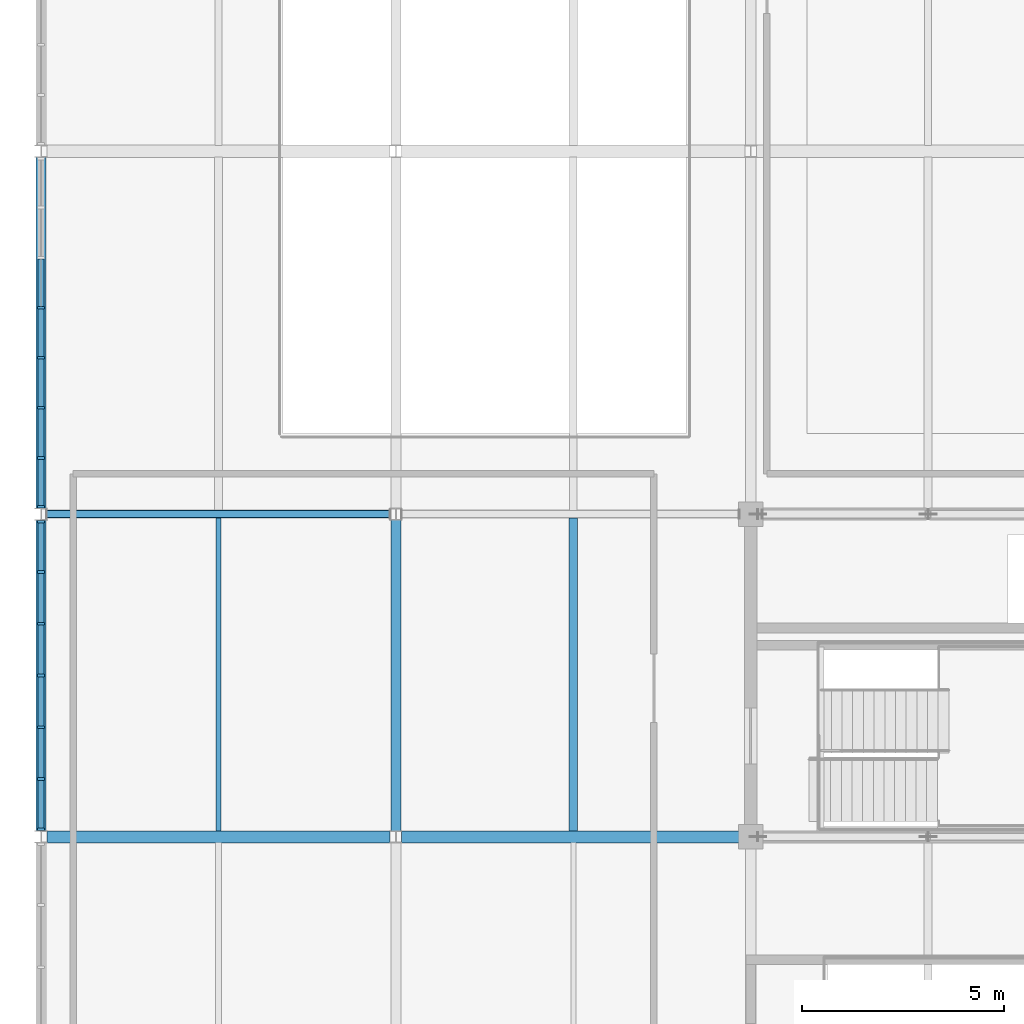
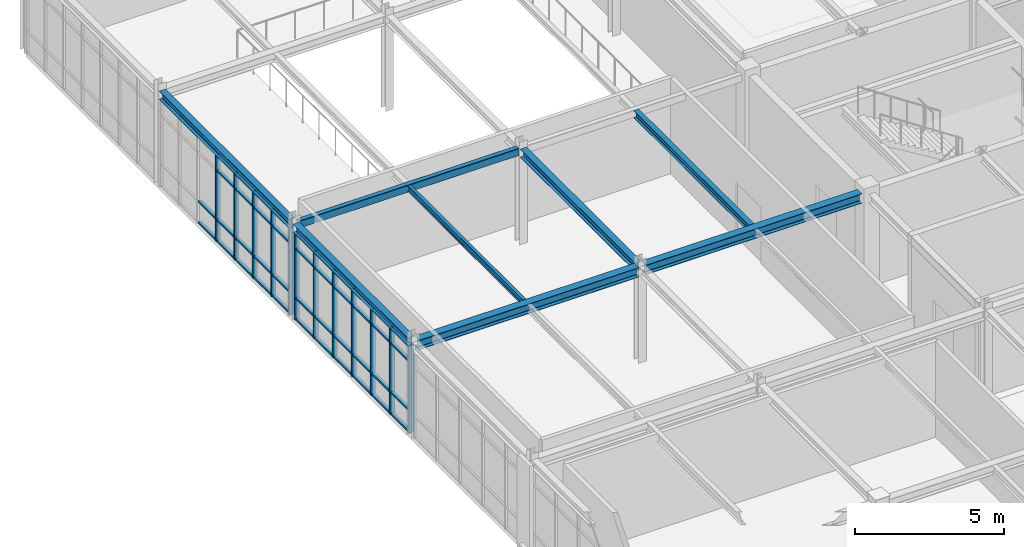
# One storey, part 28 of 88: 54 members, 8 beams, 2 elements without a shape of their own.
"""IFC4 building model written with IfcOpenShell, lengths in metres."""

from ifc_helpers import new_model, si_unit, direction, frame, origin, origin_2d, place, context, subcontext, project, spatial, rectangle, hollow_rectangle, i_section, extrude, material, material_profile, profile_set, type_object, element, aggregate, save


model = new_model("IFC4")

# Units and contexts
model_context = context("Model", 3, precision=1e-05, world=origin(), true_north=direction((0.0, 1.0)))
body_context = subcontext(model_context, "Body", "Model", "MODEL_VIEW")
ifc_project = project(units=[si_unit("LENGTHUNIT", "METRE"), si_unit("AREAUNIT", "SQUARE_METRE"), si_unit("VOLUMEUNIT", "CUBIC_METRE"), si_unit("PLANEANGLEUNIT", "RADIAN"), si_unit("MASSUNIT", "GRAM", prefix="KILO")], contexts=[model_context])

# Site, building, storey
site_placement = place(None, origin())
site = spatial("IfcSite", under=ifc_project, at=site_placement, CompositionType="ELEMENT")
building_placement = place(site_placement, origin())
building = spatial("IfcBuilding", under=site, at=building_placement, Name="Zhaolan Boulevard Law Courts", CompositionType="ELEMENT")
storey_placement = place(building_placement, frame((0.0, 0.0, 16.199951171875)))
storey = spatial("IfcBuildingStorey", under=building, at=storey_placement, Name="L03", CompositionType="ELEMENT", Elevation=16.199951171875)

# Curtain wall, members
ifc_material_1 = material(Name="Thermally broken aluminium and low-E glazing", Category="aluminium")
curtain_wall_type_1 = type_object("IfcCurtainWallType", Name="CURTAIN WALL M4", PredefinedType="USERDEFINED", material=ifc_material_1)
curtain_wall_1_placement = place(storey_placement, origin())
curtain_wall_1 = element("IfcCurtainWall", 1, at=curtain_wall_1_placement, inside=storey, type_object=curtain_wall_type_1, Name="Curtain Wall CW-L03-124", ObjectType="CURTAIN WALL", PredefinedType="USERDEFINED")
ifc_material_2 = material(Name="Fluorocarbon-coated aluminium 6063-T6", Category="aluminium")
ifc_material_profile_1 = material_profile(ifc_material_2, rectangle(XDim=0.179931640625, YDim=0.06494140625, at=origin_2d()), Name="AL65x180")
ifc_profile_set_1 = profile_set([ifc_material_profile_1], Name="Fluorocarbon-coated aluminium 6063-T6")
member_type_1 = type_object("IfcMemberType", Name="CWMULLION 65X180", PredefinedType="MULLION", material=ifc_profile_set_1)
member_1_placement = place(storey_placement, frame((0.0, 93.8154296875, 0.0), z_axis=(0.0, 0.0, 1.0), x_axis=(1.0, 0.0, 0.0)))
member_1 = element("IfcMember", 2, at=member_1_placement, type_object=member_type_1, Name="CW-L03-124 mullion 1", PredefinedType="MULLION", context=body_context, shape_type="SweptSolid", body=[
    extrude(rectangle(XDim=0.179931640625, YDim=0.06494140625, at=origin_2d()), origin(), (0.0, 0.0, 1.0), 3.56298828125),
])
member_2_placement = place(storey_placement, frame((0.0, 92.5654296875, 0.0), z_axis=(0.0, 0.0, 1.0), x_axis=(1.0, 0.0, 0.0)))
member_2 = element("IfcMember", 3, at=member_2_placement, type_object=member_type_1, Name="CW-L03-124 mullion 2", PredefinedType="MULLION", context=body_context, shape_type="SweptSolid", body=[
    extrude(rectangle(XDim=0.179931640625, YDim=0.06494140625, at=origin_2d()), origin(), (0.0, 0.0, 1.0), 3.56298828125),
])
member_3_placement = place(storey_placement, frame((0.0, 91.28271484375, 0.0), z_axis=(0.0, 0.0, 1.0), x_axis=(1.0, 0.0, 0.0)))
member_3 = element("IfcMember", 4, at=member_3_placement, type_object=member_type_1, Name="CW-L03-124 mullion 3", PredefinedType="MULLION", context=body_context, shape_type="SweptSolid", body=[
    extrude(rectangle(XDim=0.179931640625, YDim=0.06494140625, at=origin_2d()), origin(), (0.0, 0.0, 1.0), 3.56298828125),
])
member_4_placement = place(storey_placement, frame((0.0, 90.0, 0.0), z_axis=(0.0, 0.0, 1.0), x_axis=(1.0, 0.0, 0.0)))
member_4 = element("IfcMember", 5, at=member_4_placement, type_object=member_type_1, Name="CW-L03-124 mullion 4", PredefinedType="MULLION", context=body_context, shape_type="SweptSolid", body=[
    extrude(rectangle(XDim=0.179931640625, YDim=0.06494140625, at=origin_2d()), origin(), (0.0, 0.0, 1.0), 3.56298828125),
])
member_5_placement = place(storey_placement, frame((0.0, 88.71728515625, 0.0), z_axis=(0.0, 0.0, 1.0), x_axis=(1.0, 0.0, 0.0)))
member_5 = element("IfcMember", 6, at=member_5_placement, type_object=member_type_1, Name="CW-L03-124 mullion 5", PredefinedType="MULLION", context=body_context, shape_type="SweptSolid", body=[
    extrude(rectangle(XDim=0.179931640625, YDim=0.06494140625, at=origin_2d()), origin(), (0.0, 0.0, 1.0), 3.56298828125),
])
member_6_placement = place(storey_placement, frame((0.0, 87.4345703125, 0.0), z_axis=(0.0, 0.0, 1.0), x_axis=(1.0, 0.0, 0.0)))
member_6 = element("IfcMember", 7, at=member_6_placement, type_object=member_type_1, Name="CW-L03-124 mullion 6", PredefinedType="MULLION", context=body_context, shape_type="SweptSolid", body=[
    extrude(rectangle(XDim=0.179931640625, YDim=0.06494140625, at=origin_2d()), origin(), (0.0, 0.0, 1.0), 3.56298828125),
])
member_7_placement = place(storey_placement, frame((0.0, 86.1845703125, 0.0), z_axis=(0.0, 0.0, 1.0), x_axis=(1.0, 0.0, 0.0)))
member_7 = element("IfcMember", 8, at=member_7_placement, type_object=member_type_1, Name="CW-L03-124 mullion 7", PredefinedType="MULLION", context=body_context, shape_type="SweptSolid", body=[
    extrude(rectangle(XDim=0.179931640625, YDim=0.06494140625, at=origin_2d()), origin(), (0.0, 0.0, 1.0), 3.56298828125),
])

ifc_material_3 = material(Name="Thermally broken aluminium and low-E glazing", Category="aluminium")
curtain_wall_type_2 = type_object("IfcCurtainWallType", Name="CURTAIN WALL M5", PredefinedType="USERDEFINED", material=ifc_material_3)
curtain_wall_2_placement = place(storey_placement, origin())
curtain_wall_2 = element("IfcCurtainWall", 9, at=curtain_wall_2_placement, inside=storey, type_object=curtain_wall_type_2, Name="Curtain Wall CW-L03-125", ObjectType="CURTAIN WALL", PredefinedType="USERDEFINED")
member_8_placement = place(storey_placement, frame((0.0, 99.12109375, 0.0), z_axis=(0.0, 0.0, 1.0), x_axis=(1.0, 0.0, 0.0)))
member_8 = element("IfcMember", 10, at=member_8_placement, type_object=member_type_1, Name="CW-L03-125 mullion 4", PredefinedType="MULLION", context=body_context, shape_type="SweptSolid", body=[
    extrude(rectangle(XDim=0.179931640625, YDim=0.06494140625, at=origin_2d()), origin(), (0.0, 0.0, 1.0), 3.56298828125),
])
member_9_placement = place(storey_placement, frame((0.0, 97.87890625, 0.0), z_axis=(0.0, 0.0, 1.0), x_axis=(1.0, 0.0, 0.0)))
member_9 = element("IfcMember", 11, at=member_9_placement, type_object=member_type_1, Name="CW-L03-125 mullion 5", PredefinedType="MULLION", context=body_context, shape_type="SweptSolid", body=[
    extrude(rectangle(XDim=0.179931640625, YDim=0.06494140625, at=origin_2d()), origin(), (0.0, 0.0, 1.0), 3.56298828125),
])
member_10_placement = place(storey_placement, frame((0.0, 96.636474609375, 0.0), z_axis=(0.0, 0.0, 1.0), x_axis=(1.0, 0.0, 0.0)))
member_10 = element("IfcMember", 12, at=member_10_placement, type_object=member_type_1, Name="CW-L03-125 mullion 6", PredefinedType="MULLION", context=body_context, shape_type="SweptSolid", body=[
    extrude(rectangle(XDim=0.179931640625, YDim=0.06494140625, at=origin_2d()), origin(), (0.0, 0.0, 1.0), 3.56298828125),
])
member_11_placement = place(storey_placement, frame((0.0, 95.394287109375, 0.0), z_axis=(0.0, 0.0, 1.0), x_axis=(1.0, 0.0, 0.0)))
member_11 = element("IfcMember", 13, at=member_11_placement, type_object=member_type_1, Name="CW-L03-125 mullion 7", PredefinedType="MULLION", context=body_context, shape_type="SweptSolid", body=[
    extrude(rectangle(XDim=0.179931640625, YDim=0.06494140625, at=origin_2d()), origin(), (0.0, 0.0, 1.0), 3.56298828125),
])
member_12_placement = place(storey_placement, frame((0.0, 94.1845703125, 0.0), z_axis=(0.0, 0.0, 1.0), x_axis=(1.0, 0.0, 0.0)))
member_12 = element("IfcMember", 14, at=member_12_placement, type_object=member_type_1, Name="CW-L03-125 mullion 8", PredefinedType="MULLION", context=body_context, shape_type="SweptSolid", body=[
    extrude(rectangle(XDim=0.179931640625, YDim=0.06494140625, at=origin_2d()), origin(), (0.0, 0.0, 1.0), 3.56298828125),
])

# Member
ifc_material_4 = material(Name="Fluorocarbon-coated aluminium 6063-T6", Category="aluminium")
ifc_material_profile_2 = material_profile(ifc_material_4, rectangle(XDim=0.139892578125, YDim=0.06494140625, at=origin_2d()), Name="AL65x140")
ifc_profile_set_2 = profile_set([ifc_material_profile_2], Name="Fluorocarbon-coated aluminium 6063-T6")
member_type_2 = type_object("IfcMemberType", Name="CWTRANSOM 65X140", PredefinedType="USERDEFINED", material=ifc_profile_set_2)
member_13_placement = place(storey_placement, frame((0.0, 93.782958984375, 0.032470703125), z_axis=(0.0, -1.0, 0.0), x_axis=(1.0, 0.0, 0.0)))
member_13 = element("IfcMember", 15, at=member_13_placement, type_object=member_type_2, Name="CW-L03-124 transom 1.1", ObjectType="TRANSOM", PredefinedType="USERDEFINED", context=body_context, shape_type="SweptSolid", body=[
    extrude(rectangle(XDim=0.139892578125, YDim=0.06494140625, at=origin_2d()), origin(), (0.0, 0.0, 1.0), 1.18505859375),
])

member_14_placement = place(storey_placement, frame((0.0, 93.782958984375, 0.900146484375), z_axis=(0.0, -1.0, 0.0), x_axis=(1.0, 0.0, 0.0)))
member_14 = element("IfcMember", 16, at=member_14_placement, type_object=member_type_2, Name="CW-L03-124 transom 1.2", ObjectType="TRANSOM", PredefinedType="USERDEFINED", context=body_context, shape_type="SweptSolid", body=[
    extrude(rectangle(XDim=0.139892578125, YDim=0.06494140625, at=origin_2d()), origin(), (0.0, 0.0, 1.0), 1.18505859375),
])

member_15_placement = place(storey_placement, frame((0.0, 93.782958984375, 2.9130859375), z_axis=(0.0, -1.0, 0.0), x_axis=(1.0, 0.0, 0.0)))
member_15 = element("IfcMember", 17, at=member_15_placement, type_object=member_type_2, Name="CW-L03-124 transom 1.3", ObjectType="TRANSOM", PredefinedType="USERDEFINED", context=body_context, shape_type="SweptSolid", body=[
    extrude(rectangle(XDim=0.139892578125, YDim=0.06494140625, at=origin_2d()), origin(), (0.0, 0.0, 1.0), 1.18505859375),
])

member_16_placement = place(storey_placement, frame((0.0, 93.782958984375, 3.530517578125), z_axis=(0.0, -1.0, 0.0), x_axis=(1.0, 0.0, 0.0)))
member_16 = element("IfcMember", 18, at=member_16_placement, type_object=member_type_2, Name="CW-L03-124 transom 1.4", ObjectType="TRANSOM", PredefinedType="USERDEFINED", context=body_context, shape_type="SweptSolid", body=[
    extrude(rectangle(XDim=0.139892578125, YDim=0.06494140625, at=origin_2d()), origin(), (0.0, 0.0, 1.0), 1.18505859375),
])

member_17_placement = place(storey_placement, frame((0.0, 92.53271484375, 0.032470703125), z_axis=(0.0, -1.0, 0.0), x_axis=(1.0, 0.0, 0.0)))
member_17 = element("IfcMember", 19, at=member_17_placement, type_object=member_type_2, Name="CW-L03-124 transom 2.1", ObjectType="TRANSOM", PredefinedType="USERDEFINED", context=body_context, shape_type="SweptSolid", body=[
    extrude(rectangle(XDim=0.139892578125, YDim=0.06494140625, at=origin_2d()), origin(), (0.0, 0.0, 1.0), 1.217529296875),
])

member_18_placement = place(storey_placement, frame((0.0, 92.53271484375, 0.900146484375), z_axis=(0.0, -1.0, 0.0), x_axis=(1.0, 0.0, 0.0)))
member_18 = element("IfcMember", 20, at=member_18_placement, type_object=member_type_2, Name="CW-L03-124 transom 2.2", ObjectType="TRANSOM", PredefinedType="USERDEFINED", context=body_context, shape_type="SweptSolid", body=[
    extrude(rectangle(XDim=0.139892578125, YDim=0.06494140625, at=origin_2d()), origin(), (0.0, 0.0, 1.0), 1.217529296875),
])

member_19_placement = place(storey_placement, frame((0.0, 92.53271484375, 2.9130859375), z_axis=(0.0, -1.0, 0.0), x_axis=(1.0, 0.0, 0.0)))
member_19 = element("IfcMember", 21, at=member_19_placement, type_object=member_type_2, Name="CW-L03-124 transom 2.3", ObjectType="TRANSOM", PredefinedType="USERDEFINED", context=body_context, shape_type="SweptSolid", body=[
    extrude(rectangle(XDim=0.139892578125, YDim=0.06494140625, at=origin_2d()), origin(), (0.0, 0.0, 1.0), 1.217529296875),
])

member_20_placement = place(storey_placement, frame((0.0, 92.53271484375, 3.530517578125), z_axis=(0.0, -1.0, 0.0), x_axis=(1.0, 0.0, 0.0)))
member_20 = element("IfcMember", 22, at=member_20_placement, type_object=member_type_2, Name="CW-L03-124 transom 2.4", ObjectType="TRANSOM", PredefinedType="USERDEFINED", context=body_context, shape_type="SweptSolid", body=[
    extrude(rectangle(XDim=0.139892578125, YDim=0.06494140625, at=origin_2d()), origin(), (0.0, 0.0, 1.0), 1.217529296875),
])

member_21_placement = place(storey_placement, frame((0.0, 91.250244140625, 0.032470703125), z_axis=(0.0, -1.0, 0.0), x_axis=(1.0, 0.0, 0.0)))
member_21 = element("IfcMember", 23, at=member_21_placement, type_object=member_type_2, Name="CW-L03-124 transom 3.1", ObjectType="TRANSOM", PredefinedType="USERDEFINED", context=body_context, shape_type="SweptSolid", body=[
    extrude(rectangle(XDim=0.139892578125, YDim=0.06494140625, at=origin_2d()), origin(), (0.0, 0.0, 1.0), 1.2177734375),
])

member_22_placement = place(storey_placement, frame((0.0, 91.250244140625, 0.900146484375), z_axis=(0.0, -1.0, 0.0), x_axis=(1.0, 0.0, 0.0)))
member_22 = element("IfcMember", 24, at=member_22_placement, type_object=member_type_2, Name="CW-L03-124 transom 3.2", ObjectType="TRANSOM", PredefinedType="USERDEFINED", context=body_context, shape_type="SweptSolid", body=[
    extrude(rectangle(XDim=0.139892578125, YDim=0.06494140625, at=origin_2d()), origin(), (0.0, 0.0, 1.0), 1.2177734375),
])

member_23_placement = place(storey_placement, frame((0.0, 91.250244140625, 2.9130859375), z_axis=(0.0, -1.0, 0.0), x_axis=(1.0, 0.0, 0.0)))
member_23 = element("IfcMember", 25, at=member_23_placement, type_object=member_type_2, Name="CW-L03-124 transom 3.3", ObjectType="TRANSOM", PredefinedType="USERDEFINED", context=body_context, shape_type="SweptSolid", body=[
    extrude(rectangle(XDim=0.139892578125, YDim=0.06494140625, at=origin_2d()), origin(), (0.0, 0.0, 1.0), 1.2177734375),
])

member_24_placement = place(storey_placement, frame((0.0, 91.250244140625, 3.530517578125), z_axis=(0.0, -1.0, 0.0), x_axis=(1.0, 0.0, 0.0)))
member_24 = element("IfcMember", 26, at=member_24_placement, type_object=member_type_2, Name="CW-L03-124 transom 3.4", ObjectType="TRANSOM", PredefinedType="USERDEFINED", context=body_context, shape_type="SweptSolid", body=[
    extrude(rectangle(XDim=0.139892578125, YDim=0.06494140625, at=origin_2d()), origin(), (0.0, 0.0, 1.0), 1.2177734375),
])

member_25_placement = place(storey_placement, frame((0.0, 89.967529296875, 0.032470703125), z_axis=(0.0, -1.0, 0.0), x_axis=(1.0, 0.0, 0.0)))
member_25 = element("IfcMember", 27, at=member_25_placement, type_object=member_type_2, Name="CW-L03-124 transom 4.1", ObjectType="TRANSOM", PredefinedType="USERDEFINED", context=body_context, shape_type="SweptSolid", body=[
    extrude(rectangle(XDim=0.139892578125, YDim=0.06494140625, at=origin_2d()), origin(), (0.0, 0.0, 1.0), 1.2177734375),
])

member_26_placement = place(storey_placement, frame((0.0, 89.967529296875, 0.900146484375), z_axis=(0.0, -1.0, 0.0), x_axis=(1.0, 0.0, 0.0)))
member_26 = element("IfcMember", 28, at=member_26_placement, type_object=member_type_2, Name="CW-L03-124 transom 4.2", ObjectType="TRANSOM", PredefinedType="USERDEFINED", context=body_context, shape_type="SweptSolid", body=[
    extrude(rectangle(XDim=0.139892578125, YDim=0.06494140625, at=origin_2d()), origin(), (0.0, 0.0, 1.0), 1.2177734375),
])

member_27_placement = place(storey_placement, frame((0.0, 89.967529296875, 2.9130859375), z_axis=(0.0, -1.0, 0.0), x_axis=(1.0, 0.0, 0.0)))
member_27 = element("IfcMember", 29, at=member_27_placement, type_object=member_type_2, Name="CW-L03-124 transom 4.3", ObjectType="TRANSOM", PredefinedType="USERDEFINED", context=body_context, shape_type="SweptSolid", body=[
    extrude(rectangle(XDim=0.139892578125, YDim=0.06494140625, at=origin_2d()), origin(), (0.0, 0.0, 1.0), 1.2177734375),
])

member_28_placement = place(storey_placement, frame((0.0, 89.967529296875, 3.530517578125), z_axis=(0.0, -1.0, 0.0), x_axis=(1.0, 0.0, 0.0)))
member_28 = element("IfcMember", 30, at=member_28_placement, type_object=member_type_2, Name="CW-L03-124 transom 4.4", ObjectType="TRANSOM", PredefinedType="USERDEFINED", context=body_context, shape_type="SweptSolid", body=[
    extrude(rectangle(XDim=0.139892578125, YDim=0.06494140625, at=origin_2d()), origin(), (0.0, 0.0, 1.0), 1.2177734375),
])

member_29_placement = place(storey_placement, frame((0.0, 88.684814453125, 0.032470703125), z_axis=(0.0, -1.0, 0.0), x_axis=(1.0, 0.0, 0.0)))
member_29 = element("IfcMember", 31, at=member_29_placement, type_object=member_type_2, Name="CW-L03-124 transom 5.1", ObjectType="TRANSOM", PredefinedType="USERDEFINED", context=body_context, shape_type="SweptSolid", body=[
    extrude(rectangle(XDim=0.139892578125, YDim=0.06494140625, at=origin_2d()), origin(), (0.0, 0.0, 1.0), 1.217529296875),
])

member_30_placement = place(storey_placement, frame((0.0, 88.684814453125, 0.900146484375), z_axis=(0.0, -1.0, 0.0), x_axis=(1.0, 0.0, 0.0)))
member_30 = element("IfcMember", 32, at=member_30_placement, type_object=member_type_2, Name="CW-L03-124 transom 5.2", ObjectType="TRANSOM", PredefinedType="USERDEFINED", context=body_context, shape_type="SweptSolid", body=[
    extrude(rectangle(XDim=0.139892578125, YDim=0.06494140625, at=origin_2d()), origin(), (0.0, 0.0, 1.0), 1.217529296875),
])

member_31_placement = place(storey_placement, frame((0.0, 88.684814453125, 2.9130859375), z_axis=(0.0, -1.0, 0.0), x_axis=(1.0, 0.0, 0.0)))
member_31 = element("IfcMember", 33, at=member_31_placement, type_object=member_type_2, Name="CW-L03-124 transom 5.3", ObjectType="TRANSOM", PredefinedType="USERDEFINED", context=body_context, shape_type="SweptSolid", body=[
    extrude(rectangle(XDim=0.139892578125, YDim=0.06494140625, at=origin_2d()), origin(), (0.0, 0.0, 1.0), 1.217529296875),
])

member_32_placement = place(storey_placement, frame((0.0, 88.684814453125, 3.530517578125), z_axis=(0.0, -1.0, 0.0), x_axis=(1.0, 0.0, 0.0)))
member_32 = element("IfcMember", 34, at=member_32_placement, type_object=member_type_2, Name="CW-L03-124 transom 5.4", ObjectType="TRANSOM", PredefinedType="USERDEFINED", context=body_context, shape_type="SweptSolid", body=[
    extrude(rectangle(XDim=0.139892578125, YDim=0.06494140625, at=origin_2d()), origin(), (0.0, 0.0, 1.0), 1.217529296875),
])

member_33_placement = place(storey_placement, frame((0.0, 87.402099609375, 0.032470703125), z_axis=(0.0, -1.0, 0.0), x_axis=(1.0, 0.0, 0.0)))
member_33 = element("IfcMember", 35, at=member_33_placement, type_object=member_type_2, Name="CW-L03-124 transom 6.1", ObjectType="TRANSOM", PredefinedType="USERDEFINED", context=body_context, shape_type="SweptSolid", body=[
    extrude(rectangle(XDim=0.139892578125, YDim=0.06494140625, at=origin_2d()), origin(), (0.0, 0.0, 1.0), 1.18505859375),
])

member_34_placement = place(storey_placement, frame((0.0, 87.402099609375, 0.900146484375), z_axis=(0.0, -1.0, 0.0), x_axis=(1.0, 0.0, 0.0)))
member_34 = element("IfcMember", 36, at=member_34_placement, type_object=member_type_2, Name="CW-L03-124 transom 6.2", ObjectType="TRANSOM", PredefinedType="USERDEFINED", context=body_context, shape_type="SweptSolid", body=[
    extrude(rectangle(XDim=0.139892578125, YDim=0.06494140625, at=origin_2d()), origin(), (0.0, 0.0, 1.0), 1.18505859375),
])

member_35_placement = place(storey_placement, frame((0.0, 87.402099609375, 2.9130859375), z_axis=(0.0, -1.0, 0.0), x_axis=(1.0, 0.0, 0.0)))
member_35 = element("IfcMember", 37, at=member_35_placement, type_object=member_type_2, Name="CW-L03-124 transom 6.3", ObjectType="TRANSOM", PredefinedType="USERDEFINED", context=body_context, shape_type="SweptSolid", body=[
    extrude(rectangle(XDim=0.139892578125, YDim=0.06494140625, at=origin_2d()), origin(), (0.0, 0.0, 1.0), 1.18505859375),
])

member_36_placement = place(storey_placement, frame((0.0, 87.402099609375, 3.530517578125), z_axis=(0.0, -1.0, 0.0), x_axis=(1.0, 0.0, 0.0)))
member_36 = element("IfcMember", 38, at=member_36_placement, type_object=member_type_2, Name="CW-L03-124 transom 6.4", ObjectType="TRANSOM", PredefinedType="USERDEFINED", context=body_context, shape_type="SweptSolid", body=[
    extrude(rectangle(XDim=0.139892578125, YDim=0.06494140625, at=origin_2d()), origin(), (0.0, 0.0, 1.0), 1.18505859375),
])

aggregate(curtain_wall_1, [member_1, member_2, member_3, member_4, member_5, member_6, member_7, member_13, member_14, member_15, member_16, member_17, member_18, member_19, member_20, member_21, member_22, member_23, member_24, member_25, member_26, member_27, member_28, member_29, member_30, member_31, member_32, member_33, member_34, member_35, member_36])

member_37_placement = place(storey_placement, frame((0.0, 100.330810546875, 0.032470703125), z_axis=(0.0, -1.0, 0.0), x_axis=(1.0, 0.0, 0.0)))
member_37 = element("IfcMember", 39, at=member_37_placement, type_object=member_type_2, Name="CW-L03-125 transom 3.1", ObjectType="TRANSOM", PredefinedType="USERDEFINED", context=body_context, shape_type="SweptSolid", body=[
    extrude(rectangle(XDim=0.139892578125, YDim=0.06494140625, at=origin_2d()), origin(), (0.0, 0.0, 1.0), 1.17724609375),
])

member_38_placement = place(storey_placement, frame((0.0, 100.330810546875, 0.900146484375), z_axis=(0.0, -1.0, 0.0), x_axis=(1.0, 0.0, 0.0)))
member_38 = element("IfcMember", 40, at=member_38_placement, type_object=member_type_2, Name="CW-L03-125 transom 3.2", ObjectType="TRANSOM", PredefinedType="USERDEFINED", context=body_context, shape_type="SweptSolid", body=[
    extrude(rectangle(XDim=0.139892578125, YDim=0.06494140625, at=origin_2d()), origin(), (0.0, 0.0, 1.0), 1.17724609375),
])

member_39_placement = place(storey_placement, frame((0.0, 99.088623046875, 0.032470703125), z_axis=(0.0, -1.0, 0.0), x_axis=(1.0, 0.0, 0.0)))
member_39 = element("IfcMember", 41, at=member_39_placement, type_object=member_type_2, Name="CW-L03-125 transom 4.1", ObjectType="TRANSOM", PredefinedType="USERDEFINED", context=body_context, shape_type="SweptSolid", body=[
    extrude(rectangle(XDim=0.139892578125, YDim=0.06494140625, at=origin_2d()), origin(), (0.0, 0.0, 1.0), 1.17724609375),
])

member_40_placement = place(storey_placement, frame((0.0, 99.088623046875, 0.900146484375), z_axis=(0.0, -1.0, 0.0), x_axis=(1.0, 0.0, 0.0)))
member_40 = element("IfcMember", 42, at=member_40_placement, type_object=member_type_2, Name="CW-L03-125 transom 4.2", ObjectType="TRANSOM", PredefinedType="USERDEFINED", context=body_context, shape_type="SweptSolid", body=[
    extrude(rectangle(XDim=0.139892578125, YDim=0.06494140625, at=origin_2d()), origin(), (0.0, 0.0, 1.0), 1.17724609375),
])

member_41_placement = place(storey_placement, frame((0.0, 99.088623046875, 2.9130859375), z_axis=(0.0, -1.0, 0.0), x_axis=(1.0, 0.0, 0.0)))
member_41 = element("IfcMember", 43, at=member_41_placement, type_object=member_type_2, Name="CW-L03-125 transom 4.3", ObjectType="TRANSOM", PredefinedType="USERDEFINED", context=body_context, shape_type="SweptSolid", body=[
    extrude(rectangle(XDim=0.139892578125, YDim=0.06494140625, at=origin_2d()), origin(), (0.0, 0.0, 1.0), 1.17724609375),
])

member_42_placement = place(storey_placement, frame((0.0, 99.088623046875, 3.530517578125), z_axis=(0.0, -1.0, 0.0), x_axis=(1.0, 0.0, 0.0)))
member_42 = element("IfcMember", 44, at=member_42_placement, type_object=member_type_2, Name="CW-L03-125 transom 4.4", ObjectType="TRANSOM", PredefinedType="USERDEFINED", context=body_context, shape_type="SweptSolid", body=[
    extrude(rectangle(XDim=0.139892578125, YDim=0.06494140625, at=origin_2d()), origin(), (0.0, 0.0, 1.0), 1.17724609375),
])

member_43_placement = place(storey_placement, frame((0.0, 97.846435546875, 0.032470703125), z_axis=(0.0, -1.0, 0.0), x_axis=(1.0, 0.0, 0.0)))
member_43 = element("IfcMember", 45, at=member_43_placement, type_object=member_type_2, Name="CW-L03-125 transom 5.1", ObjectType="TRANSOM", PredefinedType="USERDEFINED", context=body_context, shape_type="SweptSolid", body=[
    extrude(rectangle(XDim=0.139892578125, YDim=0.06494140625, at=origin_2d()), origin(), (0.0, 0.0, 1.0), 1.17724609375),
])

member_44_placement = place(storey_placement, frame((0.0, 97.846435546875, 0.900146484375), z_axis=(0.0, -1.0, 0.0), x_axis=(1.0, 0.0, 0.0)))
member_44 = element("IfcMember", 46, at=member_44_placement, type_object=member_type_2, Name="CW-L03-125 transom 5.2", ObjectType="TRANSOM", PredefinedType="USERDEFINED", context=body_context, shape_type="SweptSolid", body=[
    extrude(rectangle(XDim=0.139892578125, YDim=0.06494140625, at=origin_2d()), origin(), (0.0, 0.0, 1.0), 1.17724609375),
])

member_45_placement = place(storey_placement, frame((0.0, 97.846435546875, 2.9130859375), z_axis=(0.0, -1.0, 0.0), x_axis=(1.0, 0.0, 0.0)))
member_45 = element("IfcMember", 47, at=member_45_placement, type_object=member_type_2, Name="CW-L03-125 transom 5.3", ObjectType="TRANSOM", PredefinedType="USERDEFINED", context=body_context, shape_type="SweptSolid", body=[
    extrude(rectangle(XDim=0.139892578125, YDim=0.06494140625, at=origin_2d()), origin(), (0.0, 0.0, 1.0), 1.17724609375),
])

member_46_placement = place(storey_placement, frame((0.0, 97.846435546875, 3.530517578125), z_axis=(0.0, -1.0, 0.0), x_axis=(1.0, 0.0, 0.0)))
member_46 = element("IfcMember", 48, at=member_46_placement, type_object=member_type_2, Name="CW-L03-125 transom 5.4", ObjectType="TRANSOM", PredefinedType="USERDEFINED", context=body_context, shape_type="SweptSolid", body=[
    extrude(rectangle(XDim=0.139892578125, YDim=0.06494140625, at=origin_2d()), origin(), (0.0, 0.0, 1.0), 1.17724609375),
])

member_47_placement = place(storey_placement, frame((0.0, 96.60400390625, 0.032470703125), z_axis=(0.0, -1.0, 0.0), x_axis=(1.0, 0.0, 0.0)))
member_47 = element("IfcMember", 49, at=member_47_placement, type_object=member_type_2, Name="CW-L03-125 transom 6.1", ObjectType="TRANSOM", PredefinedType="USERDEFINED", context=body_context, shape_type="SweptSolid", body=[
    extrude(rectangle(XDim=0.139892578125, YDim=0.06494140625, at=origin_2d()), origin(), (0.0, 0.0, 1.0), 1.17724609375),
])

member_48_placement = place(storey_placement, frame((0.0, 96.60400390625, 0.900146484375), z_axis=(0.0, -1.0, 0.0), x_axis=(1.0, 0.0, 0.0)))
member_48 = element("IfcMember", 50, at=member_48_placement, type_object=member_type_2, Name="CW-L03-125 transom 6.2", ObjectType="TRANSOM", PredefinedType="USERDEFINED", context=body_context, shape_type="SweptSolid", body=[
    extrude(rectangle(XDim=0.139892578125, YDim=0.06494140625, at=origin_2d()), origin(), (0.0, 0.0, 1.0), 1.17724609375),
])

member_49_placement = place(storey_placement, frame((0.0, 96.60400390625, 2.9130859375), z_axis=(0.0, -1.0, 0.0), x_axis=(1.0, 0.0, 0.0)))
member_49 = element("IfcMember", 51, at=member_49_placement, type_object=member_type_2, Name="CW-L03-125 transom 6.3", ObjectType="TRANSOM", PredefinedType="USERDEFINED", context=body_context, shape_type="SweptSolid", body=[
    extrude(rectangle(XDim=0.139892578125, YDim=0.06494140625, at=origin_2d()), origin(), (0.0, 0.0, 1.0), 1.17724609375),
])

member_50_placement = place(storey_placement, frame((0.0, 96.60400390625, 3.530517578125), z_axis=(0.0, -1.0, 0.0), x_axis=(1.0, 0.0, 0.0)))
member_50 = element("IfcMember", 52, at=member_50_placement, type_object=member_type_2, Name="CW-L03-125 transom 6.4", ObjectType="TRANSOM", PredefinedType="USERDEFINED", context=body_context, shape_type="SweptSolid", body=[
    extrude(rectangle(XDim=0.139892578125, YDim=0.06494140625, at=origin_2d()), origin(), (0.0, 0.0, 1.0), 1.17724609375),
])

member_51_placement = place(storey_placement, frame((0.0, 95.36181640625, 0.032470703125), z_axis=(0.0, -1.0, 0.0), x_axis=(1.0, 0.0, 0.0)))
member_51 = element("IfcMember", 53, at=member_51_placement, type_object=member_type_2, Name="CW-L03-125 transom 7.1", ObjectType="TRANSOM", PredefinedType="USERDEFINED", context=body_context, shape_type="SweptSolid", body=[
    extrude(rectangle(XDim=0.139892578125, YDim=0.06494140625, at=origin_2d()), origin(), (0.0, 0.0, 1.0), 1.144775390625),
])

member_52_placement = place(storey_placement, frame((0.0, 95.36181640625, 0.900146484375), z_axis=(0.0, -1.0, 0.0), x_axis=(1.0, 0.0, 0.0)))
member_52 = element("IfcMember", 54, at=member_52_placement, type_object=member_type_2, Name="CW-L03-125 transom 7.2", ObjectType="TRANSOM", PredefinedType="USERDEFINED", context=body_context, shape_type="SweptSolid", body=[
    extrude(rectangle(XDim=0.139892578125, YDim=0.06494140625, at=origin_2d()), origin(), (0.0, 0.0, 1.0), 1.144775390625),
])

member_53_placement = place(storey_placement, frame((0.0, 95.36181640625, 2.9130859375), z_axis=(0.0, -1.0, 0.0), x_axis=(1.0, 0.0, 0.0)))
member_53 = element("IfcMember", 55, at=member_53_placement, type_object=member_type_2, Name="CW-L03-125 transom 7.3", ObjectType="TRANSOM", PredefinedType="USERDEFINED", context=body_context, shape_type="SweptSolid", body=[
    extrude(rectangle(XDim=0.139892578125, YDim=0.06494140625, at=origin_2d()), origin(), (0.0, 0.0, 1.0), 1.144775390625),
])

member_54_placement = place(storey_placement, frame((0.0, 95.36181640625, 3.530517578125), z_axis=(0.0, -1.0, 0.0), x_axis=(1.0, 0.0, 0.0)))
member_54 = element("IfcMember", 56, at=member_54_placement, type_object=member_type_2, Name="CW-L03-125 transom 7.4", ObjectType="TRANSOM", PredefinedType="USERDEFINED", context=body_context, shape_type="SweptSolid", body=[
    extrude(rectangle(XDim=0.139892578125, YDim=0.06494140625, at=origin_2d()), origin(), (0.0, 0.0, 1.0), 1.144775390625),
])

aggregate(curtain_wall_2, [member_8, member_9, member_10, member_11, member_12, member_37, member_38, member_39, member_40, member_41, member_42, member_43, member_44, member_45, member_46, member_47, member_48, member_49, member_50, member_51, member_52, member_53, member_54])

# Beams
ifc_material_5 = material(Name="Structural steel Q355B", Category="steel")
ifc_material_profile_3 = material_profile(ifc_material_5, i_section(OverallWidth=0.25, OverallDepth=0.340087890625, WebThickness=0.009033203125, FlangeThickness=0.013916015625, FilletRadius=0.01611328125, at=origin_2d()), Name="HM340x250")
ifc_profile_set_3 = profile_set([ifc_material_profile_3], Name="Structural steel Q355B")
beam_type_1 = type_object("IfcBeamType", Name="GIRDER HM340", PredefinedType="BEAM", material=ifc_profile_set_3)
beam_1_placement = place(storey_placement, frame((0.0, 86.14599609375, 3.748046875), z_axis=(0.0, 1.0, 0.0), x_axis=(-1.0, 0.0, 0.0)))
element("IfcBeam", 57, at=beam_1_placement, inside=storey, type_object=beam_type_1, Name="Beam BY-L04-1-M-N", PredefinedType="BEAM", context=body_context, shape_type="SweptSolid", body=[
    extrude(i_section(OverallWidth=0.25, OverallDepth=0.340087890625, WebThickness=0.009033203125, FlangeThickness=0.013916015625, FilletRadius=0.01611328125, at=origin_2d()), origin(), (0.0, 0.0, 1.0), 7.7080078125),
])
beam_2_placement = place(storey_placement, frame((0.0, 94.14599609375, 3.748046875), z_axis=(0.0, 1.0, 0.0), x_axis=(-1.0, 0.0, 0.0)))
element("IfcBeam", 58, at=beam_2_placement, inside=storey, type_object=beam_type_1, Name="Beam BY-L04-1-N-P", PredefinedType="BEAM", context=body_context, shape_type="SweptSolid", body=[
    extrude(i_section(OverallWidth=0.25, OverallDepth=0.340087890625, WebThickness=0.009033203125, FlangeThickness=0.013916015625, FilletRadius=0.01611328125, at=origin_2d()), origin(), (0.0, 0.0, 1.0), 8.7080078125),
])
beam_3_placement = place(storey_placement, frame((8.800048828125, 86.14599609375, 3.748046875), z_axis=(0.0, 1.0, 0.0), x_axis=(-1.0, 0.0, 0.0)))
element("IfcBeam", 59, at=beam_3_placement, inside=storey, type_object=beam_type_1, Name="Beam BY-L04-2-M-N", PredefinedType="BEAM", context=body_context, shape_type="SweptSolid", body=[
    extrude(i_section(OverallWidth=0.25, OverallDepth=0.340087890625, WebThickness=0.009033203125, FlangeThickness=0.013916015625, FilletRadius=0.01611328125, at=origin_2d()), origin(), (0.0, 0.0, 1.0), 7.7080078125),
])
ifc_material_6 = material(Name="Structural steel Q355B", Category="steel")
ifc_material_profile_4 = material_profile(ifc_material_6, i_section(OverallWidth=0.300048828125, OverallDepth=0.389892578125, WebThickness=0.010009765625, FlangeThickness=0.01611328125, FilletRadius=0.01806640625, at=origin_2d()), Name="HM390x300")
ifc_profile_set_4 = profile_set([ifc_material_profile_4], Name="Structural steel Q355B")
beam_type_2 = type_object("IfcBeamType", Name="GIRDER HM390", PredefinedType="BEAM", material=ifc_profile_set_4)
beam_4_placement = place(storey_placement, frame((0.14599609375, 86.0, 3.72314453125), z_axis=(1.0, 0.0, 0.0), x_axis=(0.0, 1.0, 0.0)))
element("IfcBeam", 60, at=beam_4_placement, inside=storey, type_object=beam_type_2, Name="Beam BX-L04-1-2-M", PredefinedType="BEAM", context=body_context, shape_type="SweptSolid", body=[
    extrude(i_section(OverallWidth=0.300048828125, OverallDepth=0.389892578125, WebThickness=0.010009765625, FlangeThickness=0.01611328125, FilletRadius=0.01806640625, at=origin_2d()), origin(), (0.0, 0.0, 1.0), 8.508056640625),
])
beam_5_placement = place(storey_placement, frame((8.946044921875, 86.0, 3.72314453125), z_axis=(1.0, 0.0, 0.0), x_axis=(0.0, 1.0, 0.0)))
element("IfcBeam", 61, at=beam_5_placement, inside=storey, type_object=beam_type_2, Name="Beam BX-L04-2-3-M", PredefinedType="BEAM", context=body_context, shape_type="SweptSolid", body=[
    extrude(i_section(OverallWidth=0.300048828125, OverallDepth=0.389892578125, WebThickness=0.010009765625, FlangeThickness=0.01611328125, FilletRadius=0.01806640625, at=origin_2d()), origin(), (0.0, 0.0, 1.0), 8.35791015625),
])
ifc_material_7 = material(Name="Structural steel Q355B", Category="steel")
ifc_material_profile_5 = material_profile(ifc_material_7, i_section(OverallWidth=0.199951171875, OverallDepth=0.2939453125, WebThickness=0.008056640625, FlangeThickness=0.011962890625, FilletRadius=0.01611328125, at=origin_2d()), Name="HM294x200")
ifc_profile_set_5 = profile_set([ifc_material_profile_5], Name="Structural steel Q355B")
beam_type_3 = type_object("IfcBeamType", Name="JOIST HM294", PredefinedType="JOIST", material=ifc_profile_set_5)
beam_6_placement = place(storey_placement, frame((13.199951171875, 86.14599609375, 3.77099609375), z_axis=(0.0, 1.0, 0.0), x_axis=(-1.0, 0.0, 0.0)))
element("IfcBeam", 62, at=beam_6_placement, inside=storey, type_object=beam_type_3, Name="Composite Joist J-L04-2M", PredefinedType="JOIST", context=body_context, shape_type="SweptSolid", body=[
    extrude(i_section(OverallWidth=0.199951171875, OverallDepth=0.2939453125, WebThickness=0.008056640625, FlangeThickness=0.011962890625, FilletRadius=0.01611328125, at=origin_2d()), origin(), (0.0, 0.0, 1.0), 7.758056640625),
])
ifc_material_8 = material(Name="Structural steel Q355B", Category="steel")
ifc_material_profile_6 = material_profile(ifc_material_8, i_section(OverallWidth=0.125, OverallDepth=0.25, WebThickness=0.006103515625, FlangeThickness=0.009033203125, FilletRadius=0.010009765625, at=origin_2d()), Name="HN250x125")
ifc_profile_set_6 = profile_set([ifc_material_profile_6], Name="Structural steel Q355B")
beam_type_4 = type_object("IfcBeamType", Name="JOIST HN250", PredefinedType="JOIST", material=ifc_profile_set_6)
beam_7_placement = place(storey_placement, frame((4.39990234375, 86.14599609375, 3.79296875), z_axis=(0.0, 1.0, 0.0), x_axis=(-1.0, 0.0, 0.0)))
element("IfcBeam", 63, at=beam_7_placement, inside=storey, type_object=beam_type_4, Name="Composite Joist J-L04-1M", PredefinedType="JOIST", context=body_context, shape_type="SweptSolid", body=[
    extrude(i_section(OverallWidth=0.125, OverallDepth=0.25, WebThickness=0.006103515625, FlangeThickness=0.009033203125, FilletRadius=0.010009765625, at=origin_2d()), origin(), (0.0, 0.0, 1.0), 7.758056640625),
])
ifc_material_9 = material(Name="Structural steel Q355B", Category="steel")
ifc_material_profile_7 = material_profile(ifc_material_9, hollow_rectangle(XDim=0.199951171875, YDim=0.300048828125, WallThickness=0.011962890625, InnerFilletRadius=0.011962890625, OuterFilletRadius=0.02392578125, at=origin_2d()), Name="HSS300x200x12")
ifc_profile_set_7 = profile_set([ifc_material_profile_7], Name="Structural steel Q355B")
beam_type_5 = type_object("IfcBeamType", Name="SPANDREL HSS300", PredefinedType="SPANDREL", material=ifc_profile_set_7)
beam_8_placement = place(storey_placement, frame((0.14599609375, 94.0, 3.76806640625), z_axis=(1.0, 0.0, 0.0), x_axis=(0.0, 1.0, 0.0)))
element("IfcBeam", 64, at=beam_8_placement, inside=storey, type_object=beam_type_5, Name="Beam BX-L04-1-2-N", PredefinedType="SPANDREL", context=body_context, shape_type="SweptSolid", body=[
    extrude(hollow_rectangle(XDim=0.199951171875, YDim=0.300048828125, WallThickness=0.011962890625, InnerFilletRadius=0.011962890625, OuterFilletRadius=0.02392578125, at=origin_2d()), origin(), (0.0, 0.0, 1.0), 8.508056640625),
])

save(model, "model.ifc")
